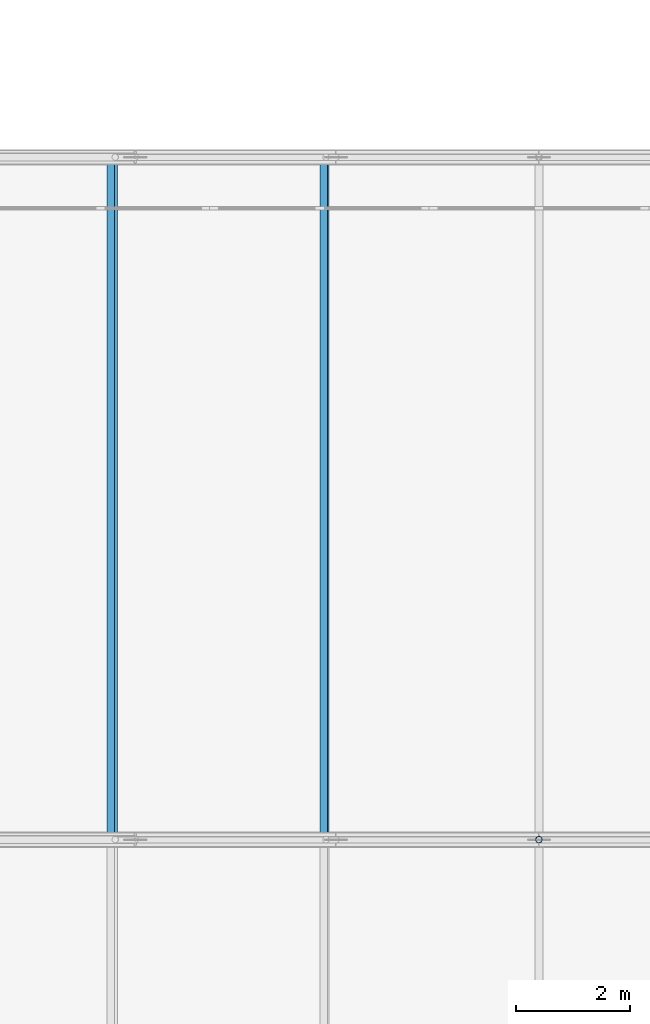
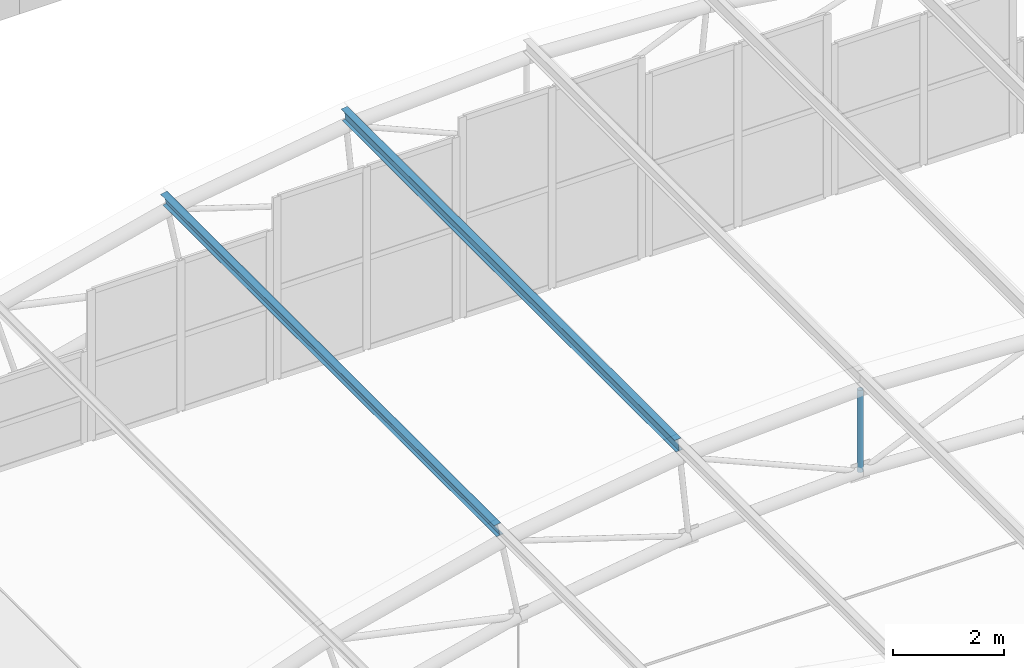
# One storey, part 219 of 321: 3 members.
"""IFC4 building model written with IfcOpenShell, lengths in metres."""

from ifc_helpers import new_model, si_unit, direction, frame, origin, origin_2d, place, context, subcontext, project, spatial, hollow_circle, i_section, extrude, material, material_profile, profile_set, type_object, element, save


model = new_model("IFC4")

# Units and contexts
model_context = context("Model", 3, precision=1e-05, world=origin(), true_north=direction((0.0, 1.0)))
body_context = subcontext(model_context, "Body", "Model", "MODEL_VIEW")
ifc_project = project(units=[si_unit("LENGTHUNIT", "METRE"), si_unit("AREAUNIT", "SQUARE_METRE"), si_unit("VOLUMEUNIT", "CUBIC_METRE"), si_unit("PLANEANGLEUNIT", "RADIAN"), si_unit("MASSUNIT", "GRAM", prefix="KILO")], contexts=[model_context])

# Site, building, storey
site_placement = place(None, origin())
site = spatial("IfcSite", under=ifc_project, at=site_placement, CompositionType="ELEMENT")
building_placement = place(site_placement, origin())
building = spatial("IfcBuilding", under=site, at=building_placement, Name="Ravi Spectrum Wholesale Market", CompositionType="ELEMENT")
storey_placement = place(building_placement, frame((0.0, 0.0, 10.800048828125)))
storey = spatial("IfcBuildingStorey", under=building, at=storey_placement, Name="L02", CompositionType="ELEMENT", Elevation=10.800048828125)

# Members
ifc_material_1 = material(Name="Steel S355", Category="steel")
ifc_material_profile_1 = material_profile(ifc_material_1, hollow_circle(Radius=0.05712890625, WallThickness=0.00390625, at=origin_2d()))
ifc_profile_set_1 = profile_set([ifc_material_profile_1], Name="Steel S355")
member_type_1 = type_object("IfcMemberType", Name="CHS 114.3x4 post", PredefinedType="POST", material=ifc_profile_set_1)
member_placement = place(storey_placement, frame((180.0, 174.0, 4.5), z_axis=(0.0, 0.0, -1.0), x_axis=(1.0, 0.0, 0.0)))
element("IfcMember", 1, at=member_placement, inside=storey, type_object=member_type_1, Name="H3-MB-L02-145", PredefinedType="POST", context=body_context, shape_type="SweptSolid", body=[
    extrude(hollow_circle(Radius=0.05712890625, WallThickness=0.00390625, at=origin_2d()), origin(), (0.0, 0.0, 1.0), 1.800048828125),
])
ifc_material_2 = material(Name="Steel S355", Category="steel")
ifc_material_profile_2 = material_profile(ifc_material_2, i_section(OverallWidth=0.135009765625, OverallDepth=0.27001953125, WebThickness=0.006591796875, FlangeThickness=0.01025390625, at=origin_2d()))
ifc_profile_set_2 = profile_set([ifc_material_profile_2], Name="Steel S355")
member_type_2 = type_object("IfcMemberType", Name="IPE 270 purlin", PredefinedType="PURLIN", material=ifc_profile_set_2)
for number, where, z_axis, x_axis, name in (
    (2, (172.498779296875, 174.0, 4.033935546875), (0.0, 1.0, 0.0), (-0.980856735855, 0.0, -0.194730746744), "H3-MB-L02-237"),
    (3, (176.231201171875, 174.0, 4.586669921875), (0.0, 1.0, 0.0), (-0.995202677663, 0.0, -0.097834709449), "H3-MB-L02-238"),
):
    element("IfcMember", number, at=place(storey_placement, frame(where, z_axis=z_axis, x_axis=x_axis)), inside=storey, type_object=member_type_2, Name=name, PredefinedType="PURLIN", context=body_context, shape_type="SweptSolid", body=[
        extrude(i_section(OverallWidth=0.135009765625, OverallDepth=0.27001953125, WebThickness=0.006591796875, FlangeThickness=0.01025390625, at=origin_2d()), origin(), (0.0, 0.0, 1.0), 12.0),
    ])

save(model, "model.ifc")
